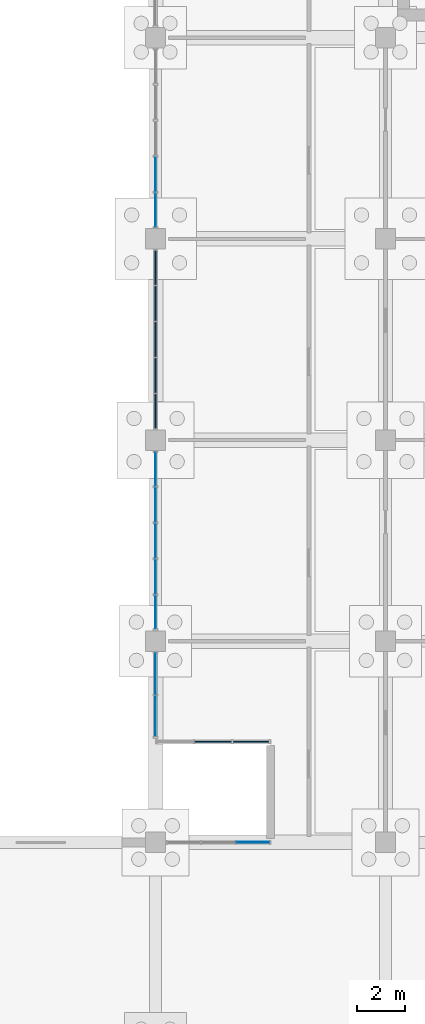
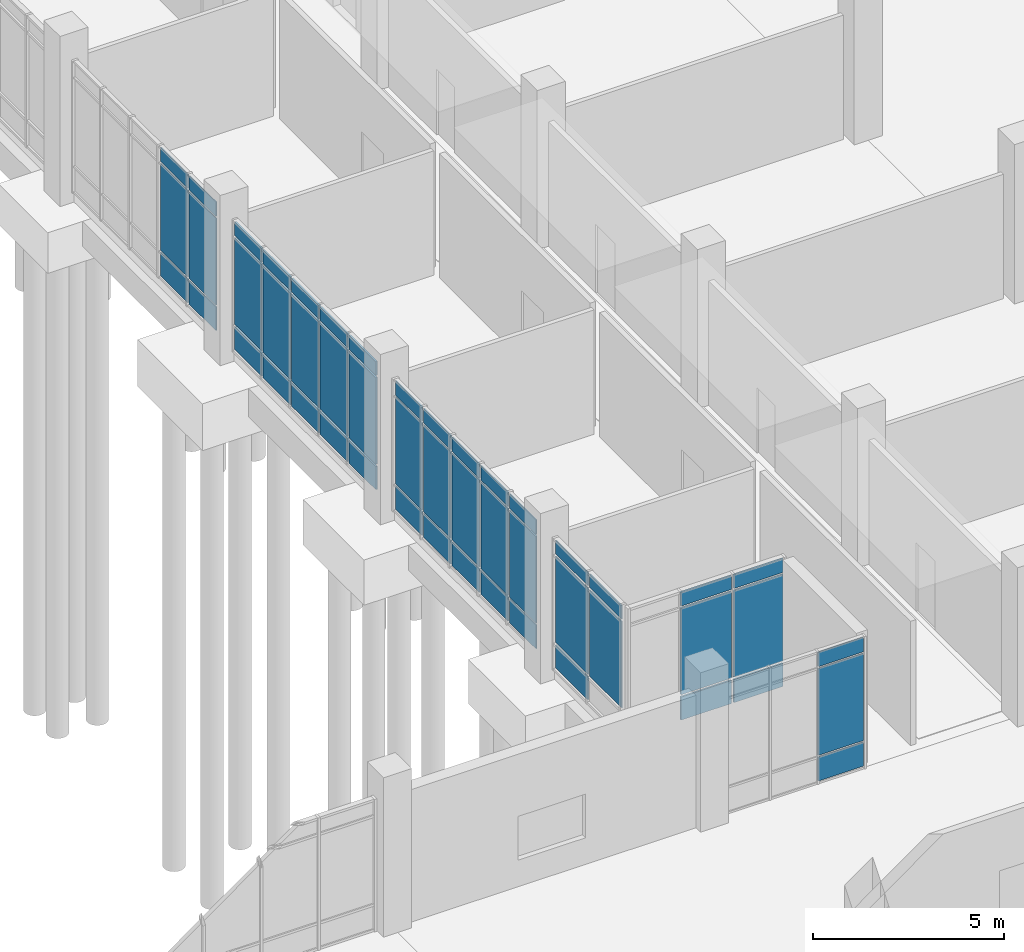
# One storey, part 76 of 136: 50 plates, 6 elements without a shape of their own.
"""IFC4 building model written with IfcOpenShell, lengths in metres."""

from ifc_helpers import new_model, si_unit, direction, frame, origin, origin_2d, place, context, subcontext, project, spatial, rectangle, extrude, material, layer, layer_set, type_object, element, aggregate, save


model = new_model("IFC4")

# Units and contexts
model_context = context("Model", 3, precision=1e-05, world=origin(), true_north=direction((0.0, 1.0)))
body_context = subcontext(model_context, "Body", "Model", "MODEL_VIEW")
ifc_project = project(units=[si_unit("LENGTHUNIT", "METRE"), si_unit("AREAUNIT", "SQUARE_METRE"), si_unit("VOLUMEUNIT", "CUBIC_METRE"), si_unit("PLANEANGLEUNIT", "RADIAN"), si_unit("MASSUNIT", "GRAM", prefix="KILO")], contexts=[model_context])

# Site, building, storey
site_placement = place(None, origin())
site = spatial("IfcSite", under=ifc_project, at=site_placement, CompositionType="ELEMENT")
building_placement = place(site_placement, origin())
building = spatial("IfcBuilding", under=site, at=building_placement, Name="Oolite Switchyard Hospital", CompositionType="ELEMENT")
storey_placement = place(building_placement, origin())
storey = spatial("IfcBuildingStorey", under=building, at=storey_placement, Name="L00", CompositionType="ELEMENT", Elevation=0.0)

# Curtain wall, plates
ifc_material_1 = material(Name="Thermally broken aluminum frame with laminated impact glazing", Category="aluminium")
curtain_wall_type = type_object("IfcCurtainWallType", Name="CW-UNIT-84X51", PredefinedType="USERDEFINED", material=ifc_material_1)
curtain_wall_1_placement = place(storey_placement, origin())
curtain_wall_1 = element("IfcCurtainWall", 1, at=curtain_wall_1_placement, inside=storey, type_object=curtain_wall_type, Name="L00 Unitised Curtain Wall 19", ObjectType="UNITISED", PredefinedType="USERDEFINED")
ifc_material_2 = material(Name="Insulated fluoropolymer-coated aluminum spandrel panel", Category="aluminium")
ifc_layer_1 = layer(ifc_material_2, 0.054931640625)
ifc_layer_set_1 = layer_set([ifc_layer_1], Name="CW-PNL-SPN55")
plate_type_1 = type_object("IfcPlateType", Name="CW-PNL-SPN55", PredefinedType="CURTAIN_PANEL", material=ifc_layer_set_1)
plate_1_placement = place(storey_placement, frame((119.1826171875, 37.800048828125, 0.0751953125), z_axis=(0.0, 0.0, 1.0), x_axis=(-1.0, 0.0, 0.0)))
plate_1 = element("IfcPlate", 2, at=plate_1_placement, type_object=plate_type_1, Name="CW-06 panel 1.1", PredefinedType="CURTAIN_PANEL", context=body_context, shape_type="SweptSolid", body=[
    extrude(rectangle(XDim=1.4951171875, YDim=0.054931640625, at=origin_2d()), origin(), (0.0, 0.0, 1.0), 0.737548828125),
])
plate_2_placement = place(storey_placement, frame((119.1826171875, 37.800048828125, 0.8876953125), z_axis=(0.0, 0.0, 1.0), x_axis=(-1.0, 0.0, 0.0)))
plate_2 = element("IfcPlate", 3, at=plate_2_placement, type_object=plate_type_1, Name="CW-06 panel 1.2", PredefinedType="CURTAIN_PANEL", context=body_context, shape_type="SweptSolid", body=[
    extrude(rectangle(XDim=1.4951171875, YDim=0.054931640625, at=origin_2d()), origin(), (0.0, 0.0, 1.0), 2.764892578125),
])
plate_3_placement = place(storey_placement, frame((119.1826171875, 37.800048828125, 3.7275390625), z_axis=(0.0, 0.0, 1.0), x_axis=(-1.0, 0.0, 0.0)))
plate_3 = element("IfcPlate", 4, at=plate_3_placement, type_object=plate_type_1, Name="CW-06 panel 1.3", PredefinedType="CURTAIN_PANEL", context=body_context, shape_type="SweptSolid", body=[
    extrude(rectangle(XDim=1.4951171875, YDim=0.054931640625, at=origin_2d()), origin(), (0.0, 0.0, 1.0), 0.4375),
])
plate_4_placement = place(storey_placement, frame((117.60009765625, 37.800048828125, 0.0751953125), z_axis=(0.0, 0.0, 1.0), x_axis=(-1.0, 0.0, 0.0)))
plate_4 = element("IfcPlate", 5, at=plate_4_placement, type_object=plate_type_1, Name="CW-06 panel 2.1", PredefinedType="CURTAIN_PANEL", context=body_context, shape_type="SweptSolid", body=[
    extrude(rectangle(XDim=1.530029296875, YDim=0.054931640625, at=origin_2d()), origin(), (0.0, 0.0, 1.0), 0.737548828125),
])
plate_5_placement = place(storey_placement, frame((117.60009765625, 37.800048828125, 0.8876953125), z_axis=(0.0, 0.0, 1.0), x_axis=(-1.0, 0.0, 0.0)))
plate_5 = element("IfcPlate", 6, at=plate_5_placement, type_object=plate_type_1, Name="CW-06 panel 2.2", PredefinedType="CURTAIN_PANEL", context=body_context, shape_type="SweptSolid", body=[
    extrude(rectangle(XDim=1.530029296875, YDim=0.054931640625, at=origin_2d()), origin(), (0.0, 0.0, 1.0), 2.764892578125),
])
plate_6_placement = place(storey_placement, frame((117.60009765625, 37.800048828125, 3.7275390625), z_axis=(0.0, 0.0, 1.0), x_axis=(-1.0, 0.0, 0.0)))
plate_6 = element("IfcPlate", 7, at=plate_6_placement, type_object=plate_type_1, Name="CW-06 panel 2.3", PredefinedType="CURTAIN_PANEL", context=body_context, shape_type="SweptSolid", body=[
    extrude(rectangle(XDim=1.530029296875, YDim=0.054931640625, at=origin_2d()), origin(), (0.0, 0.0, 1.0), 0.4375),
])
aggregate(curtain_wall_1, [plate_1, plate_2, plate_3, plate_4, plate_5, plate_6])

curtain_wall_2_placement = place(storey_placement, origin())
curtain_wall_2 = element("IfcCurtainWall", 8, at=curtain_wall_2_placement, inside=storey, type_object=curtain_wall_type, Name="L00 Unitised Curtain Wall 69", ObjectType="UNITISED", PredefinedType="USERDEFINED")
plate_7_placement = place(storey_placement, frame((115.199951171875, 51.60693359375, 0.0751953125), z_axis=(0.0, 0.0, 1.0), x_axis=(0.0, 1.0, 0.0)))
plate_7 = element("IfcPlate", 9, at=plate_7_placement, type_object=plate_type_1, Name="CW-06 panel 1.1", PredefinedType="CURTAIN_PANEL", context=body_context, shape_type="SweptSolid", body=[
    extrude(rectangle(XDim=1.4140625, YDim=0.054931640625, at=origin_2d()), origin(), (0.0, 0.0, 1.0), 0.737548828125),
])
plate_8_placement = place(storey_placement, frame((115.199951171875, 51.60693359375, 0.8876953125), z_axis=(0.0, 0.0, 1.0), x_axis=(0.0, 1.0, 0.0)))
plate_8 = element("IfcPlate", 10, at=plate_8_placement, type_object=plate_type_1, Name="CW-06 panel 1.2", PredefinedType="CURTAIN_PANEL", context=body_context, shape_type="SweptSolid", body=[
    extrude(rectangle(XDim=1.4140625, YDim=0.054931640625, at=origin_2d()), origin(), (0.0, 0.0, 1.0), 2.764892578125),
])
plate_9_placement = place(storey_placement, frame((115.199951171875, 51.60693359375, 3.7275390625), z_axis=(0.0, 0.0, 1.0), x_axis=(0.0, 1.0, 0.0)))
plate_9 = element("IfcPlate", 11, at=plate_9_placement, type_object=plate_type_1, Name="CW-06 panel 1.3", PredefinedType="CURTAIN_PANEL", context=body_context, shape_type="SweptSolid", body=[
    extrude(rectangle(XDim=1.4140625, YDim=0.054931640625, at=origin_2d()), origin(), (0.0, 0.0, 1.0), 0.4375),
])
plate_10_placement = place(storey_placement, frame((115.199951171875, 53.095947265625, 0.0751953125), z_axis=(0.0, 0.0, 1.0), x_axis=(0.0, 1.0, 0.0)))
plate_10 = element("IfcPlate", 12, at=plate_10_placement, type_object=plate_type_1, Name="CW-06 panel 2.1", PredefinedType="CURTAIN_PANEL", context=body_context, shape_type="SweptSolid", body=[
    extrude(rectangle(XDim=1.444091796875, YDim=0.054931640625, at=origin_2d()), origin(), (0.0, 0.0, 1.0), 0.737548828125),
])
plate_11_placement = place(storey_placement, frame((115.199951171875, 53.095947265625, 0.8876953125), z_axis=(0.0, 0.0, 1.0), x_axis=(0.0, 1.0, 0.0)))
plate_11 = element("IfcPlate", 13, at=plate_11_placement, type_object=plate_type_1, Name="CW-06 panel 2.2", PredefinedType="CURTAIN_PANEL", context=body_context, shape_type="SweptSolid", body=[
    extrude(rectangle(XDim=1.444091796875, YDim=0.054931640625, at=origin_2d()), origin(), (0.0, 0.0, 1.0), 2.764892578125),
])
plate_12_placement = place(storey_placement, frame((115.199951171875, 53.095947265625, 3.7275390625), z_axis=(0.0, 0.0, 1.0), x_axis=(0.0, 1.0, 0.0)))
plate_12 = element("IfcPlate", 14, at=plate_12_placement, type_object=plate_type_1, Name="CW-06 panel 2.3", PredefinedType="CURTAIN_PANEL", context=body_context, shape_type="SweptSolid", body=[
    extrude(rectangle(XDim=1.444091796875, YDim=0.054931640625, at=origin_2d()), origin(), (0.0, 0.0, 1.0), 0.4375),
])
plate_13_placement = place(storey_placement, frame((115.199951171875, 54.60009765625, 0.0751953125), z_axis=(0.0, 0.0, 1.0), x_axis=(0.0, 1.0, 0.0)))
plate_13 = element("IfcPlate", 15, at=plate_13_placement, type_object=plate_type_1, Name="CW-06 panel 3.1", PredefinedType="CURTAIN_PANEL", context=body_context, shape_type="SweptSolid", body=[
    extrude(rectangle(XDim=1.444091796875, YDim=0.054931640625, at=origin_2d()), origin(), (0.0, 0.0, 1.0), 0.737548828125),
])
plate_14_placement = place(storey_placement, frame((115.199951171875, 54.60009765625, 0.8876953125), z_axis=(0.0, 0.0, 1.0), x_axis=(0.0, 1.0, 0.0)))
plate_14 = element("IfcPlate", 16, at=plate_14_placement, type_object=plate_type_1, Name="CW-06 panel 3.2", PredefinedType="CURTAIN_PANEL", context=body_context, shape_type="SweptSolid", body=[
    extrude(rectangle(XDim=1.444091796875, YDim=0.054931640625, at=origin_2d()), origin(), (0.0, 0.0, 1.0), 2.764892578125),
])
plate_15_placement = place(storey_placement, frame((115.199951171875, 54.60009765625, 3.7275390625), z_axis=(0.0, 0.0, 1.0), x_axis=(0.0, 1.0, 0.0)))
plate_15 = element("IfcPlate", 17, at=plate_15_placement, type_object=plate_type_1, Name="CW-06 panel 3.3", PredefinedType="CURTAIN_PANEL", context=body_context, shape_type="SweptSolid", body=[
    extrude(rectangle(XDim=1.444091796875, YDim=0.054931640625, at=origin_2d()), origin(), (0.0, 0.0, 1.0), 0.4375),
])
plate_16_placement = place(storey_placement, frame((115.199951171875, 56.10400390625, 0.0751953125), z_axis=(0.0, 0.0, 1.0), x_axis=(0.0, 1.0, 0.0)))
plate_16 = element("IfcPlate", 18, at=plate_16_placement, type_object=plate_type_1, Name="CW-06 panel 4.1", PredefinedType="CURTAIN_PANEL", context=body_context, shape_type="SweptSolid", body=[
    extrude(rectangle(XDim=1.444091796875, YDim=0.054931640625, at=origin_2d()), origin(), (0.0, 0.0, 1.0), 0.737548828125),
])
plate_17_placement = place(storey_placement, frame((115.199951171875, 56.10400390625, 0.8876953125), z_axis=(0.0, 0.0, 1.0), x_axis=(0.0, 1.0, 0.0)))
plate_17 = element("IfcPlate", 19, at=plate_17_placement, type_object=plate_type_1, Name="CW-06 panel 4.2", PredefinedType="CURTAIN_PANEL", context=body_context, shape_type="SweptSolid", body=[
    extrude(rectangle(XDim=1.444091796875, YDim=0.054931640625, at=origin_2d()), origin(), (0.0, 0.0, 1.0), 2.764892578125),
])
plate_18_placement = place(storey_placement, frame((115.199951171875, 56.10400390625, 3.7275390625), z_axis=(0.0, 0.0, 1.0), x_axis=(0.0, 1.0, 0.0)))
plate_18 = element("IfcPlate", 20, at=plate_18_placement, type_object=plate_type_1, Name="CW-06 panel 4.3", PredefinedType="CURTAIN_PANEL", context=body_context, shape_type="SweptSolid", body=[
    extrude(rectangle(XDim=1.444091796875, YDim=0.054931640625, at=origin_2d()), origin(), (0.0, 0.0, 1.0), 0.4375),
])
plate_19_placement = place(storey_placement, frame((115.199951171875, 57.593017578125, 0.0751953125), z_axis=(0.0, 0.0, 1.0), x_axis=(0.0, 1.0, 0.0)))
plate_19 = element("IfcPlate", 21, at=plate_19_placement, type_object=plate_type_1, Name="CW-06 panel 5.1", PredefinedType="CURTAIN_PANEL", context=body_context, shape_type="SweptSolid", body=[
    extrude(rectangle(XDim=1.4140625, YDim=0.054931640625, at=origin_2d()), origin(), (0.0, 0.0, 1.0), 0.737548828125),
])
plate_20_placement = place(storey_placement, frame((115.199951171875, 57.593017578125, 0.8876953125), z_axis=(0.0, 0.0, 1.0), x_axis=(0.0, 1.0, 0.0)))
plate_20 = element("IfcPlate", 22, at=plate_20_placement, type_object=plate_type_1, Name="CW-06 panel 5.2", PredefinedType="CURTAIN_PANEL", context=body_context, shape_type="SweptSolid", body=[
    extrude(rectangle(XDim=1.4140625, YDim=0.054931640625, at=origin_2d()), origin(), (0.0, 0.0, 1.0), 2.764892578125),
])
plate_21_placement = place(storey_placement, frame((115.199951171875, 57.593017578125, 3.7275390625), z_axis=(0.0, 0.0, 1.0), x_axis=(0.0, 1.0, 0.0)))
plate_21 = element("IfcPlate", 23, at=plate_21_placement, type_object=plate_type_1, Name="CW-06 panel 5.3", PredefinedType="CURTAIN_PANEL", context=body_context, shape_type="SweptSolid", body=[
    extrude(rectangle(XDim=1.4140625, YDim=0.054931640625, at=origin_2d()), origin(), (0.0, 0.0, 1.0), 0.4375),
])
aggregate(curtain_wall_2, [plate_7, plate_8, plate_9, plate_10, plate_11, plate_12, plate_13, plate_14, plate_15, plate_16, plate_17, plate_18, plate_19, plate_20, plate_21])

curtain_wall_3_placement = place(storey_placement, origin())
curtain_wall_3 = element("IfcCurtainWall", 24, at=curtain_wall_3_placement, inside=storey, type_object=curtain_wall_type, Name="L00 Unitised Curtain Wall 67", ObjectType="UNITISED", PredefinedType="USERDEFINED")
ifc_material_3 = material(Name="Laminated hurricane-impact insulated glazing unit", Category="glass")
ifc_layer_2 = layer(ifc_material_3, 0.028076171875)
ifc_layer_set_2 = layer_set([ifc_layer_2], Name="CW-PNL-VIS28")
plate_type_2 = type_object("IfcPlateType", Name="CW-PNL-VIS28", PredefinedType="CURTAIN_PANEL", material=ifc_layer_set_2)
plate_22_placement = place(storey_placement, frame((115.199951171875, 38.87744140625, 0.8876953125), z_axis=(0.0, 0.0, 1.0), x_axis=(0.0, 1.0, 0.0)))
plate_22 = element("IfcPlate", 25, at=plate_22_placement, type_object=plate_type_2, Name="CW-06 panel 1.2", PredefinedType="CURTAIN_PANEL", context=body_context, shape_type="SweptSolid", body=[
    extrude(rectangle(XDim=1.695068359375, YDim=0.028076171875, at=origin_2d()), origin(), (0.0, 0.0, 1.0), 2.764892578125),
])
plate_23_placement = place(storey_placement, frame((115.199951171875, 38.87744140625, 3.7275390625), z_axis=(0.0, 0.0, 1.0), x_axis=(0.0, 1.0, 0.0)))
plate_23 = element("IfcPlate", 26, at=plate_23_placement, type_object=plate_type_2, Name="CW-06 panel 1.3", PredefinedType="CURTAIN_PANEL", context=body_context, shape_type="SweptSolid", body=[
    extrude(rectangle(XDim=1.695068359375, YDim=0.028076171875, at=origin_2d()), origin(), (0.0, 0.0, 1.0), 0.4375),
])
plate_24_placement = place(storey_placement, frame((115.199951171875, 40.642578125, 0.0751953125), z_axis=(0.0, 0.0, 1.0), x_axis=(0.0, 1.0, 0.0)))
plate_24 = element("IfcPlate", 27, at=plate_24_placement, type_object=plate_type_2, Name="CW-06 panel 2.1", PredefinedType="CURTAIN_PANEL", context=body_context, shape_type="SweptSolid", body=[
    extrude(rectangle(XDim=1.695068359375, YDim=0.028076171875, at=origin_2d()), origin(), (0.0, 0.0, 1.0), 0.737548828125),
])
plate_25_placement = place(storey_placement, frame((115.199951171875, 40.642578125, 0.8876953125), z_axis=(0.0, 0.0, 1.0), x_axis=(0.0, 1.0, 0.0)))
plate_25 = element("IfcPlate", 28, at=plate_25_placement, type_object=plate_type_2, Name="CW-06 panel 2.2", PredefinedType="CURTAIN_PANEL", context=body_context, shape_type="SweptSolid", body=[
    extrude(rectangle(XDim=1.695068359375, YDim=0.028076171875, at=origin_2d()), origin(), (0.0, 0.0, 1.0), 2.764892578125),
])
plate_26_placement = place(storey_placement, frame((115.199951171875, 40.642578125, 3.7275390625), z_axis=(0.0, 0.0, 1.0), x_axis=(0.0, 1.0, 0.0)))
plate_26 = element("IfcPlate", 29, at=plate_26_placement, type_object=plate_type_2, Name="CW-06 panel 2.3", PredefinedType="CURTAIN_PANEL", context=body_context, shape_type="SweptSolid", body=[
    extrude(rectangle(XDim=1.695068359375, YDim=0.028076171875, at=origin_2d()), origin(), (0.0, 0.0, 1.0), 0.4375),
])
aggregate(curtain_wall_3, [plate_22, plate_23, plate_24, plate_25, plate_26])

curtain_wall_4_placement = place(storey_placement, origin())
curtain_wall_4 = element("IfcCurtainWall", 30, at=curtain_wall_4_placement, inside=storey, type_object=curtain_wall_type, Name="L00 Unitised Curtain Wall 70", ObjectType="UNITISED", PredefinedType="USERDEFINED")
plate_27_placement = place(storey_placement, frame((115.199951171875, 60.009521484375, 0.06005859375), z_axis=(0.0, 0.0, 1.0), x_axis=(0.0, 1.0, 0.0)))
plate_27 = element("IfcPlate", 31, at=plate_27_placement, type_object=plate_type_2, Name="CW-06 panel 1.1", PredefinedType="CURTAIN_PANEL", context=body_context, shape_type="SweptSolid", body=[
    extrude(rectangle(XDim=1.39892578125, YDim=0.028076171875, at=origin_2d()), origin(), (0.0, 0.0, 1.0), 0.760009765625),
])
plate_28_placement = place(storey_placement, frame((115.199951171875, 60.009521484375, 0.8798828125), z_axis=(0.0, 0.0, 1.0), x_axis=(0.0, 1.0, 0.0)))
plate_28 = element("IfcPlate", 32, at=plate_28_placement, type_object=plate_type_2, Name="CW-06 panel 1.2", PredefinedType="CURTAIN_PANEL", context=body_context, shape_type="SweptSolid", body=[
    extrude(rectangle(XDim=1.39892578125, YDim=0.028076171875, at=origin_2d()), origin(), (0.0, 0.0, 1.0), 2.780029296875),
])
plate_29_placement = place(storey_placement, frame((115.199951171875, 60.009521484375, 3.719970703125), z_axis=(0.0, 0.0, 1.0), x_axis=(0.0, 1.0, 0.0)))
plate_29 = element("IfcPlate", 33, at=plate_29_placement, type_object=plate_type_2, Name="CW-06 panel 1.3", PredefinedType="CURTAIN_PANEL", context=body_context, shape_type="SweptSolid", body=[
    extrude(rectangle(XDim=1.39892578125, YDim=0.028076171875, at=origin_2d()), origin(), (0.0, 0.0, 1.0), 0.4599609375),
])
plate_30_placement = place(storey_placement, frame((115.199951171875, 61.49609375, 0.06005859375), z_axis=(0.0, 0.0, 1.0), x_axis=(0.0, 1.0, 0.0)))
plate_30 = element("IfcPlate", 34, at=plate_30_placement, type_object=plate_type_2, Name="CW-06 panel 2.1", PredefinedType="CURTAIN_PANEL", context=body_context, shape_type="SweptSolid", body=[
    extrude(rectangle(XDim=1.43408203125, YDim=0.028076171875, at=origin_2d()), origin(), (0.0, 0.0, 1.0), 0.760009765625),
])
plate_31_placement = place(storey_placement, frame((115.199951171875, 61.49609375, 0.8798828125), z_axis=(0.0, 0.0, 1.0), x_axis=(0.0, 1.0, 0.0)))
plate_31 = element("IfcPlate", 35, at=plate_31_placement, type_object=plate_type_2, Name="CW-06 panel 2.2", PredefinedType="CURTAIN_PANEL", context=body_context, shape_type="SweptSolid", body=[
    extrude(rectangle(XDim=1.43408203125, YDim=0.028076171875, at=origin_2d()), origin(), (0.0, 0.0, 1.0), 2.780029296875),
])
plate_32_placement = place(storey_placement, frame((115.199951171875, 61.49609375, 3.719970703125), z_axis=(0.0, 0.0, 1.0), x_axis=(0.0, 1.0, 0.0)))
plate_32 = element("IfcPlate", 36, at=plate_32_placement, type_object=plate_type_2, Name="CW-06 panel 2.3", PredefinedType="CURTAIN_PANEL", context=body_context, shape_type="SweptSolid", body=[
    extrude(rectangle(XDim=1.43408203125, YDim=0.028076171875, at=origin_2d()), origin(), (0.0, 0.0, 1.0), 0.4599609375),
])
aggregate(curtain_wall_4, [plate_27, plate_28, plate_29, plate_30, plate_31, plate_32])

curtain_wall_5_placement = place(storey_placement, origin())
curtain_wall_5 = element("IfcCurtainWall", 37, at=curtain_wall_5_placement, inside=storey, type_object=curtain_wall_type, Name="L00 Unitised Curtain Wall 18", ObjectType="UNITISED", PredefinedType="USERDEFINED")
ifc_layer_3 = layer(ifc_material_3, 0.035888671875)
ifc_layer_set_3 = layer_set([ifc_layer_3], Name="CW-PNL-VIS36")
plate_type_3 = type_object("IfcPlateType", Name="CW-PNL-VIS36", PredefinedType="CURTAIN_PANEL", material=ifc_layer_set_3)
plate_33_placement = place(storey_placement, frame((119.25830078125, 33.60009765625, 0.06005859375), z_axis=(0.0, 0.0, 1.0), x_axis=(1.0, 0.0, 0.0)))
plate_33 = element("IfcPlate", 38, at=plate_33_placement, type_object=plate_type_3, Name="CW-06 panel 3.1", PredefinedType="CURTAIN_PANEL", context=body_context, shape_type="SweptSolid", body=[
    extrude(rectangle(XDim=1.36328125, YDim=0.035888671875, at=origin_2d()), origin(), (0.0, 0.0, 1.0), 0.760009765625),
])
plate_34_placement = place(storey_placement, frame((119.25830078125, 33.60009765625, 0.8798828125), z_axis=(0.0, 0.0, 1.0), x_axis=(1.0, 0.0, 0.0)))
plate_34 = element("IfcPlate", 39, at=plate_34_placement, type_object=plate_type_3, Name="CW-06 panel 3.2", PredefinedType="CURTAIN_PANEL", context=body_context, shape_type="SweptSolid", body=[
    extrude(rectangle(XDim=1.36328125, YDim=0.035888671875, at=origin_2d()), origin(), (0.0, 0.0, 1.0), 2.780029296875),
])
plate_35_placement = place(storey_placement, frame((119.25830078125, 33.60009765625, 3.719970703125), z_axis=(0.0, 0.0, 1.0), x_axis=(1.0, 0.0, 0.0)))
plate_35 = element("IfcPlate", 40, at=plate_35_placement, type_object=plate_type_3, Name="CW-06 panel 3.3", PredefinedType="CURTAIN_PANEL", context=body_context, shape_type="SweptSolid", body=[
    extrude(rectangle(XDim=1.36328125, YDim=0.035888671875, at=origin_2d()), origin(), (0.0, 0.0, 1.0), 0.4599609375),
])
aggregate(curtain_wall_5, [plate_33, plate_34, plate_35])

curtain_wall_6_placement = place(storey_placement, origin())
curtain_wall_6 = element("IfcCurtainWall", 41, at=curtain_wall_6_placement, inside=storey, type_object=curtain_wall_type, Name="L00 Unitised Curtain Wall 68", ObjectType="UNITISED", PredefinedType="USERDEFINED")
plate_36_placement = place(storey_placement, frame((115.199951171875, 43.210693359375, 0.06005859375), z_axis=(0.0, 0.0, 1.0), x_axis=(0.0, 1.0, 0.0)))
plate_36 = element("IfcPlate", 42, at=plate_36_placement, type_object=plate_type_3, Name="CW-06 panel 1.1", PredefinedType="CURTAIN_PANEL", context=body_context, shape_type="SweptSolid", body=[
    extrude(rectangle(XDim=1.3916015625, YDim=0.035888671875, at=origin_2d()), origin(), (0.0, 0.0, 1.0), 0.760009765625),
])
plate_37_placement = place(storey_placement, frame((115.199951171875, 43.210693359375, 0.8798828125), z_axis=(0.0, 0.0, 1.0), x_axis=(0.0, 1.0, 0.0)))
plate_37 = element("IfcPlate", 43, at=plate_37_placement, type_object=plate_type_3, Name="CW-06 panel 1.2", PredefinedType="CURTAIN_PANEL", context=body_context, shape_type="SweptSolid", body=[
    extrude(rectangle(XDim=1.3916015625, YDim=0.035888671875, at=origin_2d()), origin(), (0.0, 0.0, 1.0), 2.780029296875),
])
plate_38_placement = place(storey_placement, frame((115.199951171875, 43.210693359375, 3.719970703125), z_axis=(0.0, 0.0, 1.0), x_axis=(0.0, 1.0, 0.0)))
plate_38 = element("IfcPlate", 44, at=plate_38_placement, type_object=plate_type_3, Name="CW-06 panel 1.3", PredefinedType="CURTAIN_PANEL", context=body_context, shape_type="SweptSolid", body=[
    extrude(rectangle(XDim=1.3916015625, YDim=0.035888671875, at=origin_2d()), origin(), (0.0, 0.0, 1.0), 0.4599609375),
])
plate_39_placement = place(storey_placement, frame((115.199951171875, 44.696044921875, 0.06005859375), z_axis=(0.0, 0.0, 1.0), x_axis=(0.0, 1.0, 0.0)))
plate_39 = element("IfcPlate", 45, at=plate_39_placement, type_object=plate_type_3, Name="CW-06 panel 2.1", PredefinedType="CURTAIN_PANEL", context=body_context, shape_type="SweptSolid", body=[
    extrude(rectangle(XDim=1.428955078125, YDim=0.035888671875, at=origin_2d()), origin(), (0.0, 0.0, 1.0), 0.760009765625),
])
plate_40_placement = place(storey_placement, frame((115.199951171875, 44.696044921875, 0.8798828125), z_axis=(0.0, 0.0, 1.0), x_axis=(0.0, 1.0, 0.0)))
plate_40 = element("IfcPlate", 46, at=plate_40_placement, type_object=plate_type_3, Name="CW-06 panel 2.2", PredefinedType="CURTAIN_PANEL", context=body_context, shape_type="SweptSolid", body=[
    extrude(rectangle(XDim=1.428955078125, YDim=0.035888671875, at=origin_2d()), origin(), (0.0, 0.0, 1.0), 2.780029296875),
])
plate_41_placement = place(storey_placement, frame((115.199951171875, 44.696044921875, 3.719970703125), z_axis=(0.0, 0.0, 1.0), x_axis=(0.0, 1.0, 0.0)))
plate_41 = element("IfcPlate", 47, at=plate_41_placement, type_object=plate_type_3, Name="CW-06 panel 2.3", PredefinedType="CURTAIN_PANEL", context=body_context, shape_type="SweptSolid", body=[
    extrude(rectangle(XDim=1.428955078125, YDim=0.035888671875, at=origin_2d()), origin(), (0.0, 0.0, 1.0), 0.4599609375),
])
plate_42_placement = place(storey_placement, frame((115.199951171875, 46.199951171875, 0.06005859375), z_axis=(0.0, 0.0, 1.0), x_axis=(0.0, 1.0, 0.0)))
plate_42 = element("IfcPlate", 48, at=plate_42_placement, type_object=plate_type_3, Name="CW-06 panel 3.1", PredefinedType="CURTAIN_PANEL", context=body_context, shape_type="SweptSolid", body=[
    extrude(rectangle(XDim=1.428955078125, YDim=0.035888671875, at=origin_2d()), origin(), (0.0, 0.0, 1.0), 0.760009765625),
])
plate_43_placement = place(storey_placement, frame((115.199951171875, 46.199951171875, 0.8798828125), z_axis=(0.0, 0.0, 1.0), x_axis=(0.0, 1.0, 0.0)))
plate_43 = element("IfcPlate", 49, at=plate_43_placement, type_object=plate_type_3, Name="CW-06 panel 3.2", PredefinedType="CURTAIN_PANEL", context=body_context, shape_type="SweptSolid", body=[
    extrude(rectangle(XDim=1.428955078125, YDim=0.035888671875, at=origin_2d()), origin(), (0.0, 0.0, 1.0), 2.780029296875),
])
plate_44_placement = place(storey_placement, frame((115.199951171875, 46.199951171875, 3.719970703125), z_axis=(0.0, 0.0, 1.0), x_axis=(0.0, 1.0, 0.0)))
plate_44 = element("IfcPlate", 50, at=plate_44_placement, type_object=plate_type_3, Name="CW-06 panel 3.3", PredefinedType="CURTAIN_PANEL", context=body_context, shape_type="SweptSolid", body=[
    extrude(rectangle(XDim=1.428955078125, YDim=0.035888671875, at=origin_2d()), origin(), (0.0, 0.0, 1.0), 0.4599609375),
])
plate_45_placement = place(storey_placement, frame((115.199951171875, 47.7041015625, 0.06005859375), z_axis=(0.0, 0.0, 1.0), x_axis=(0.0, 1.0, 0.0)))
plate_45 = element("IfcPlate", 51, at=plate_45_placement, type_object=plate_type_3, Name="CW-06 panel 4.1", PredefinedType="CURTAIN_PANEL", context=body_context, shape_type="SweptSolid", body=[
    extrude(rectangle(XDim=1.428955078125, YDim=0.035888671875, at=origin_2d()), origin(), (0.0, 0.0, 1.0), 0.760009765625),
])
plate_46_placement = place(storey_placement, frame((115.199951171875, 47.7041015625, 0.8798828125), z_axis=(0.0, 0.0, 1.0), x_axis=(0.0, 1.0, 0.0)))
plate_46 = element("IfcPlate", 52, at=plate_46_placement, type_object=plate_type_3, Name="CW-06 panel 4.2", PredefinedType="CURTAIN_PANEL", context=body_context, shape_type="SweptSolid", body=[
    extrude(rectangle(XDim=1.428955078125, YDim=0.035888671875, at=origin_2d()), origin(), (0.0, 0.0, 1.0), 2.780029296875),
])
plate_47_placement = place(storey_placement, frame((115.199951171875, 47.7041015625, 3.719970703125), z_axis=(0.0, 0.0, 1.0), x_axis=(0.0, 1.0, 0.0)))
plate_47 = element("IfcPlate", 53, at=plate_47_placement, type_object=plate_type_3, Name="CW-06 panel 4.3", PredefinedType="CURTAIN_PANEL", context=body_context, shape_type="SweptSolid", body=[
    extrude(rectangle(XDim=1.428955078125, YDim=0.035888671875, at=origin_2d()), origin(), (0.0, 0.0, 1.0), 0.4599609375),
])
plate_48_placement = place(storey_placement, frame((115.199951171875, 49.189208984375, 0.06005859375), z_axis=(0.0, 0.0, 1.0), x_axis=(0.0, 1.0, 0.0)))
plate_48 = element("IfcPlate", 54, at=plate_48_placement, type_object=plate_type_3, Name="CW-06 panel 5.1", PredefinedType="CURTAIN_PANEL", context=body_context, shape_type="SweptSolid", body=[
    extrude(rectangle(XDim=1.3916015625, YDim=0.035888671875, at=origin_2d()), origin(), (0.0, 0.0, 1.0), 0.760009765625),
])
plate_49_placement = place(storey_placement, frame((115.199951171875, 49.189208984375, 0.8798828125), z_axis=(0.0, 0.0, 1.0), x_axis=(0.0, 1.0, 0.0)))
plate_49 = element("IfcPlate", 55, at=plate_49_placement, type_object=plate_type_3, Name="CW-06 panel 5.2", PredefinedType="CURTAIN_PANEL", context=body_context, shape_type="SweptSolid", body=[
    extrude(rectangle(XDim=1.3916015625, YDim=0.035888671875, at=origin_2d()), origin(), (0.0, 0.0, 1.0), 2.780029296875),
])
plate_50_placement = place(storey_placement, frame((115.199951171875, 49.189208984375, 3.719970703125), z_axis=(0.0, 0.0, 1.0), x_axis=(0.0, 1.0, 0.0)))
plate_50 = element("IfcPlate", 56, at=plate_50_placement, type_object=plate_type_3, Name="CW-06 panel 5.3", PredefinedType="CURTAIN_PANEL", context=body_context, shape_type="SweptSolid", body=[
    extrude(rectangle(XDim=1.3916015625, YDim=0.035888671875, at=origin_2d()), origin(), (0.0, 0.0, 1.0), 0.4599609375),
])
aggregate(curtain_wall_6, [plate_36, plate_37, plate_38, plate_39, plate_40, plate_41, plate_42, plate_43, plate_44, plate_45, plate_46, plate_47, plate_48, plate_49, plate_50])

save(model, "model.ifc")
